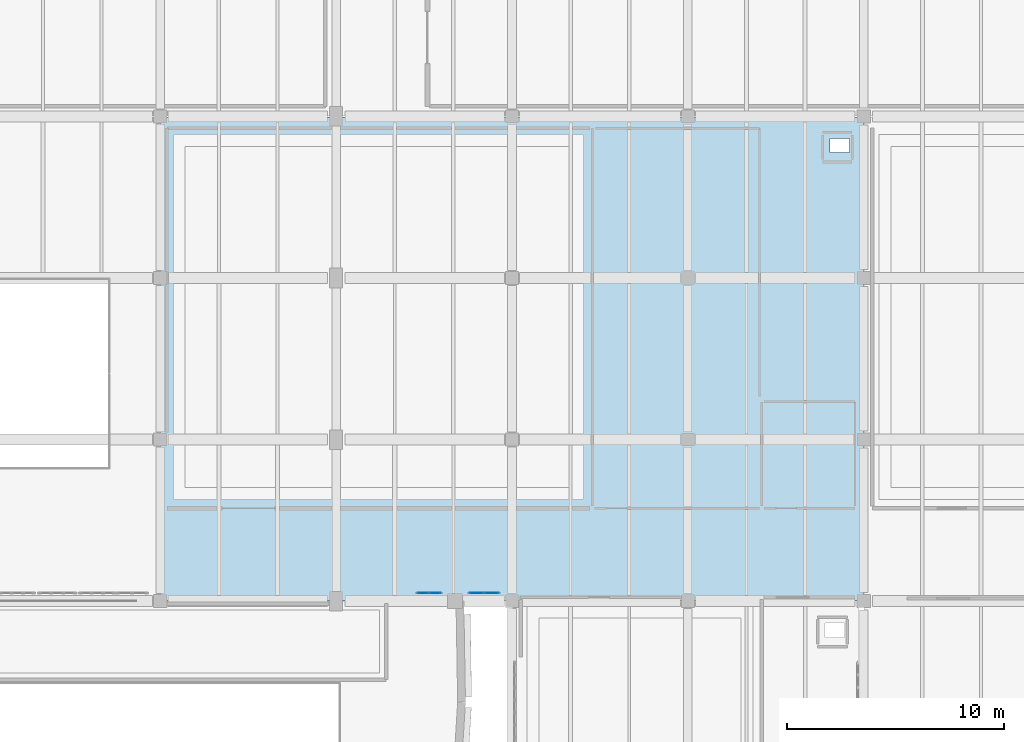
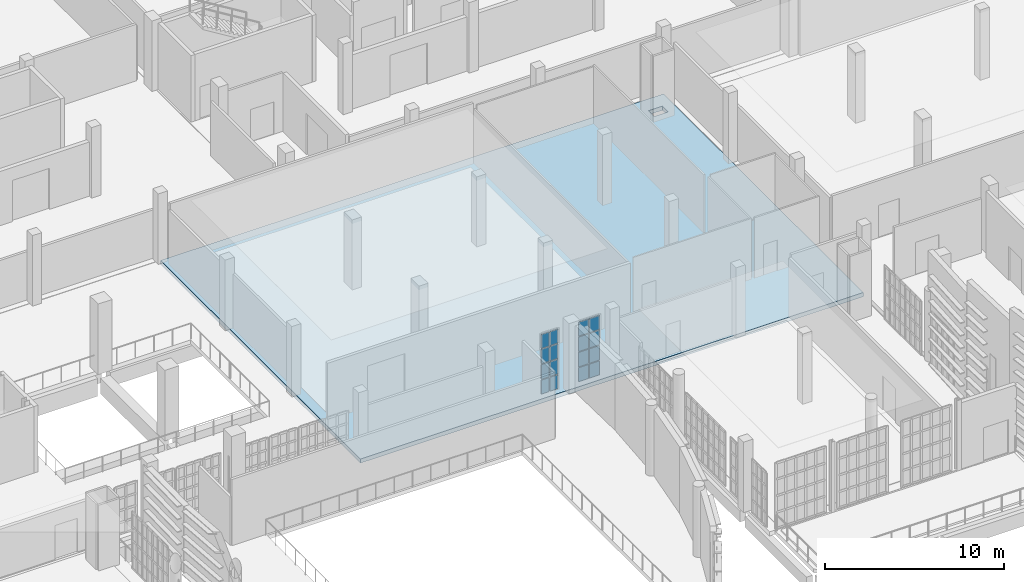
# One storey, part 78 of 104: 16 plates, 1 slab, 2 elements without a shape of their own.
"""IFC4 building model written with IfcOpenShell, lengths in metres."""

from ifc_helpers import new_model, si_unit, direction, frame, origin, origin_2d, place, context, subcontext, project, spatial, polyline, rectangle, outline, extrude, material, layer, layer_set, type_object, element, aggregate, save


model = new_model("IFC4")

# Units and contexts
model_context = context("Model", 3, precision=1e-05, world=origin(), true_north=direction((0.0, 1.0)))
body_context = subcontext(model_context, "Body", "Model", "MODEL_VIEW")
ifc_project = project(units=[si_unit("LENGTHUNIT", "METRE"), si_unit("AREAUNIT", "SQUARE_METRE"), si_unit("VOLUMEUNIT", "CUBIC_METRE"), si_unit("PLANEANGLEUNIT", "RADIAN"), si_unit("MASSUNIT", "GRAM", prefix="KILO")], contexts=[model_context])

# Site, building, storey
site_placement = place(None, origin())
site = spatial("IfcSite", under=ifc_project, at=site_placement, CompositionType="ELEMENT")
building_placement = place(site_placement, origin())
building = spatial("IfcBuilding", under=site, at=building_placement, Name="Kaelora Sail Theatre", CompositionType="ELEMENT")
storey_placement = place(building_placement, frame((0.0, 0.0, 5.39990234375)))
storey = spatial("IfcBuildingStorey", under=building, at=storey_placement, Name="L01", CompositionType="ELEMENT", Elevation=5.39990234375)

# Curtain wall, plates
ifc_material_1 = material(Name="Anodised aluminium and solar-control low-E IGU", Category="aluminium")
curtain_wall_type = type_object("IfcCurtainWallType", Name="ARC-CW-CW-FOY2", PredefinedType="NOTDEFINED", material=ifc_material_1)
curtain_wall_1_placement = place(storey_placement, origin())
curtain_wall_1 = element("IfcCurtainWall", 1, at=curtain_wall_1_placement, inside=storey, type_object=curtain_wall_type, Name="Glazed Foyer/Conservatory Curtain Wall FC2-S-L01-01", PredefinedType="NOTDEFINED")
ifc_material_2 = material(Name="Solar-control laminated low-E glass", Category="glass")
ifc_layer_1 = layer(ifc_material_2, 0.031982421875)
ifc_layer_set_1 = layer_set([ifc_layer_1], Name="Solar-control laminated low-E glass")
plate_type = type_object("IfcPlateType", Name="ARC-CW-PNL", PredefinedType="CURTAIN_PANEL", material=ifc_layer_set_1)
plate_1_placement = place(storey_placement, frame((102.70751953125, 61.389892578125, 0.0703125), z_axis=(0.0, 0.0, 1.0), x_axis=(1.0, 0.0, 0.0)))
plate_1 = element("IfcPlate", 2, at=plate_1_placement, type_object=plate_type, Name="CW-FOY2 panel 1.1", PredefinedType="CURTAIN_PANEL", context=body_context, shape_type="SweptSolid", body=[
    extrude(rectangle(XDim=0.4951171875, YDim=0.031982421875, at=origin_2d()), origin(), (0.0, 0.0, 1.0), 0.941650390625),
])
plate_2_placement = place(storey_placement, frame((102.70751953125, 61.389892578125, 1.08203125), z_axis=(0.0, 0.0, 1.0), x_axis=(1.0, 0.0, 0.0)))
plate_2 = element("IfcPlate", 3, at=plate_2_placement, type_object=plate_type, Name="CW-FOY2 panel 1.2", PredefinedType="CURTAIN_PANEL", context=body_context, shape_type="SweptSolid", body=[
    extrude(rectangle(XDim=0.4951171875, YDim=0.031982421875, at=origin_2d()), origin(), (0.0, 0.0, 1.0), 0.976806640625),
])
plate_3_placement = place(storey_placement, frame((102.70751953125, 61.389892578125, 2.12841796875), z_axis=(0.0, 0.0, 1.0), x_axis=(1.0, 0.0, 0.0)))
plate_3 = element("IfcPlate", 4, at=plate_3_placement, type_object=plate_type, Name="CW-FOY2 panel 1.3", PredefinedType="CURTAIN_PANEL", context=body_context, shape_type="SweptSolid", body=[
    extrude(rectangle(XDim=0.4951171875, YDim=0.031982421875, at=origin_2d()), origin(), (0.0, 0.0, 1.0), 0.976806640625),
])
plate_4_placement = place(storey_placement, frame((102.70751953125, 61.389892578125, 3.17529296875), z_axis=(0.0, 0.0, 1.0), x_axis=(1.0, 0.0, 0.0)))
plate_4 = element("IfcPlate", 5, at=plate_4_placement, type_object=plate_type, Name="CW-FOY2 panel 1.4", PredefinedType="CURTAIN_PANEL", context=body_context, shape_type="SweptSolid", body=[
    extrude(rectangle(XDim=0.4951171875, YDim=0.031982421875, at=origin_2d()), origin(), (0.0, 0.0, 1.0), 0.941650390625),
])
plate_5_placement = place(storey_placement, frame((103.262451171875, 61.389892578125, 0.0703125), z_axis=(0.0, 0.0, 1.0), x_axis=(1.0, 0.0, 0.0)))
plate_5 = element("IfcPlate", 6, at=plate_5_placement, type_object=plate_type, Name="CW-FOY2 panel 2.1", PredefinedType="CURTAIN_PANEL", context=body_context, shape_type="SweptSolid", body=[
    extrude(rectangle(XDim=0.4951171875, YDim=0.031982421875, at=origin_2d()), origin(), (0.0, 0.0, 1.0), 0.941650390625),
])
plate_6_placement = place(storey_placement, frame((103.262451171875, 61.389892578125, 1.08203125), z_axis=(0.0, 0.0, 1.0), x_axis=(1.0, 0.0, 0.0)))
plate_6 = element("IfcPlate", 7, at=plate_6_placement, type_object=plate_type, Name="CW-FOY2 panel 2.2", PredefinedType="CURTAIN_PANEL", context=body_context, shape_type="SweptSolid", body=[
    extrude(rectangle(XDim=0.4951171875, YDim=0.031982421875, at=origin_2d()), origin(), (0.0, 0.0, 1.0), 0.976806640625),
])
plate_7_placement = place(storey_placement, frame((103.262451171875, 61.389892578125, 2.12841796875), z_axis=(0.0, 0.0, 1.0), x_axis=(1.0, 0.0, 0.0)))
plate_7 = element("IfcPlate", 8, at=plate_7_placement, type_object=plate_type, Name="CW-FOY2 panel 2.3", PredefinedType="CURTAIN_PANEL", context=body_context, shape_type="SweptSolid", body=[
    extrude(rectangle(XDim=0.4951171875, YDim=0.031982421875, at=origin_2d()), origin(), (0.0, 0.0, 1.0), 0.976806640625),
])
plate_8_placement = place(storey_placement, frame((103.262451171875, 61.389892578125, 3.17529296875), z_axis=(0.0, 0.0, 1.0), x_axis=(1.0, 0.0, 0.0)))
plate_8 = element("IfcPlate", 9, at=plate_8_placement, type_object=plate_type, Name="CW-FOY2 panel 2.4", PredefinedType="CURTAIN_PANEL", context=body_context, shape_type="SweptSolid", body=[
    extrude(rectangle(XDim=0.4951171875, YDim=0.031982421875, at=origin_2d()), origin(), (0.0, 0.0, 1.0), 0.941650390625),
])
aggregate(curtain_wall_1, [plate_1, plate_2, plate_3, plate_4, plate_5, plate_6, plate_7, plate_8])

curtain_wall_2_placement = place(storey_placement, origin())
curtain_wall_2 = element("IfcCurtainWall", 10, at=curtain_wall_2_placement, inside=storey, type_object=curtain_wall_type, Name="Glazed Foyer/Conservatory Curtain Wall FC2-S-L01-01", PredefinedType="NOTDEFINED")
plate_9_placement = place(storey_placement, frame((105.16748046875, 61.389892578125, 0.0703125), z_axis=(0.0, 0.0, 1.0), x_axis=(1.0, 0.0, 0.0)))
plate_9 = element("IfcPlate", 11, at=plate_9_placement, type_object=plate_type, Name="CW-FOY2 panel 1.1", PredefinedType="CURTAIN_PANEL", context=body_context, shape_type="SweptSolid", body=[
    extrude(rectangle(XDim=0.635009765625, YDim=0.031982421875, at=origin_2d()), origin(), (0.0, 0.0, 1.0), 0.941650390625),
])
plate_10_placement = place(storey_placement, frame((105.16748046875, 61.389892578125, 1.08203125), z_axis=(0.0, 0.0, 1.0), x_axis=(1.0, 0.0, 0.0)))
plate_10 = element("IfcPlate", 12, at=plate_10_placement, type_object=plate_type, Name="CW-FOY2 panel 1.2", PredefinedType="CURTAIN_PANEL", context=body_context, shape_type="SweptSolid", body=[
    extrude(rectangle(XDim=0.635009765625, YDim=0.031982421875, at=origin_2d()), origin(), (0.0, 0.0, 1.0), 0.976806640625),
])
plate_11_placement = place(storey_placement, frame((105.16748046875, 61.389892578125, 2.12841796875), z_axis=(0.0, 0.0, 1.0), x_axis=(1.0, 0.0, 0.0)))
plate_11 = element("IfcPlate", 13, at=plate_11_placement, type_object=plate_type, Name="CW-FOY2 panel 1.3", PredefinedType="CURTAIN_PANEL", context=body_context, shape_type="SweptSolid", body=[
    extrude(rectangle(XDim=0.635009765625, YDim=0.031982421875, at=origin_2d()), origin(), (0.0, 0.0, 1.0), 0.976806640625),
])
plate_12_placement = place(storey_placement, frame((105.16748046875, 61.389892578125, 3.17529296875), z_axis=(0.0, 0.0, 1.0), x_axis=(1.0, 0.0, 0.0)))
plate_12 = element("IfcPlate", 14, at=plate_12_placement, type_object=plate_type, Name="CW-FOY2 panel 1.4", PredefinedType="CURTAIN_PANEL", context=body_context, shape_type="SweptSolid", body=[
    extrude(rectangle(XDim=0.635009765625, YDim=0.031982421875, at=origin_2d()), origin(), (0.0, 0.0, 1.0), 0.941650390625),
])
plate_13_placement = place(storey_placement, frame((105.862548828125, 61.389892578125, 0.0703125), z_axis=(0.0, 0.0, 1.0), x_axis=(1.0, 0.0, 0.0)))
plate_13 = element("IfcPlate", 15, at=plate_13_placement, type_object=plate_type, Name="CW-FOY2 panel 2.1", PredefinedType="CURTAIN_PANEL", context=body_context, shape_type="SweptSolid", body=[
    extrude(rectangle(XDim=0.635009765625, YDim=0.031982421875, at=origin_2d()), origin(), (0.0, 0.0, 1.0), 0.941650390625),
])
plate_14_placement = place(storey_placement, frame((105.862548828125, 61.389892578125, 1.08203125), z_axis=(0.0, 0.0, 1.0), x_axis=(1.0, 0.0, 0.0)))
plate_14 = element("IfcPlate", 16, at=plate_14_placement, type_object=plate_type, Name="CW-FOY2 panel 2.2", PredefinedType="CURTAIN_PANEL", context=body_context, shape_type="SweptSolid", body=[
    extrude(rectangle(XDim=0.635009765625, YDim=0.031982421875, at=origin_2d()), origin(), (0.0, 0.0, 1.0), 0.976806640625),
])
plate_15_placement = place(storey_placement, frame((105.862548828125, 61.389892578125, 2.12841796875), z_axis=(0.0, 0.0, 1.0), x_axis=(1.0, 0.0, 0.0)))
plate_15 = element("IfcPlate", 17, at=plate_15_placement, type_object=plate_type, Name="CW-FOY2 panel 2.3", PredefinedType="CURTAIN_PANEL", context=body_context, shape_type="SweptSolid", body=[
    extrude(rectangle(XDim=0.635009765625, YDim=0.031982421875, at=origin_2d()), origin(), (0.0, 0.0, 1.0), 0.976806640625),
])
plate_16_placement = place(storey_placement, frame((105.862548828125, 61.389892578125, 3.17529296875), z_axis=(0.0, 0.0, 1.0), x_axis=(1.0, 0.0, 0.0)))
plate_16 = element("IfcPlate", 18, at=plate_16_placement, type_object=plate_type, Name="CW-FOY2 panel 2.4", PredefinedType="CURTAIN_PANEL", context=body_context, shape_type="SweptSolid", body=[
    extrude(rectangle(XDim=0.635009765625, YDim=0.031982421875, at=origin_2d()), origin(), (0.0, 0.0, 1.0), 0.941650390625),
])
aggregate(curtain_wall_2, [plate_9, plate_10, plate_11, plate_12, plate_13, plate_14, plate_15, plate_16])

# Slab
ifc_material_3 = material(Name="Concrete C40/50", Category="concrete")
ifc_layer_2 = layer(ifc_material_3, 0.280029296875)
ifc_layer_set_2 = layer_set([ifc_layer_2], Name="Concrete C40/50")
slab_type = type_object("IfcSlabType", Name="STR-SLB-SL-FL280", PredefinedType="FLOOR", material=ifc_layer_set_2)
slab_placement = place(storey_placement, frame((0.0, 0.0, -0.27978515625)))
element("IfcSlab", 19, at=slab_placement, inside=storey, type_object=slab_type, Name="Glazed Foyer floor slab FC2 (L01)", PredefinedType="FLOOR", context=body_context, shape_type="SweptSolid", body=[
    extrude(outline(polyline([(90.614990234375, 61.034912109375), (122.985107421875, 61.034912109375), (122.985107421875, 83.324951171875), (90.614990234375, 83.324951171875), (90.614990234375, 61.034912109375)]), holes=[polyline([(121.43505859375, 81.675048828125), (122.3349609375, 81.675048828125), (122.3349609375, 82.324951171875), (121.43505859375, 82.324951171875), (121.43505859375, 81.675048828125)])]), origin(), (0.0, 0.0, 1.0), 0.27978515625),
])

save(model, "model.ifc")
